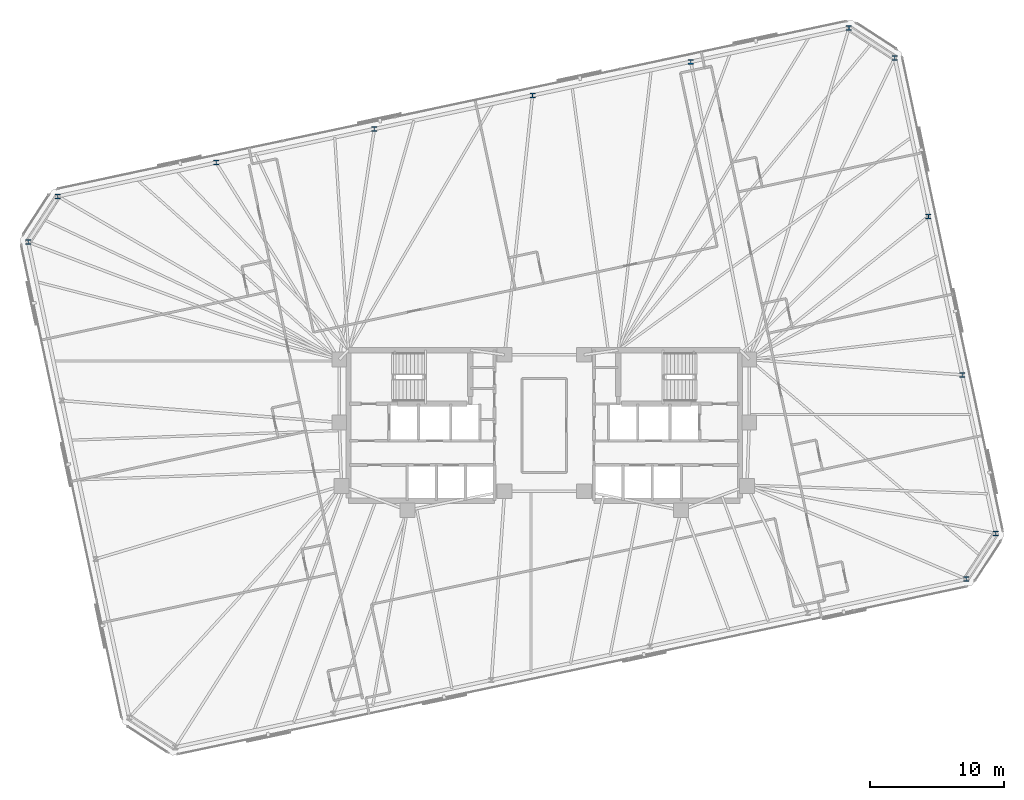
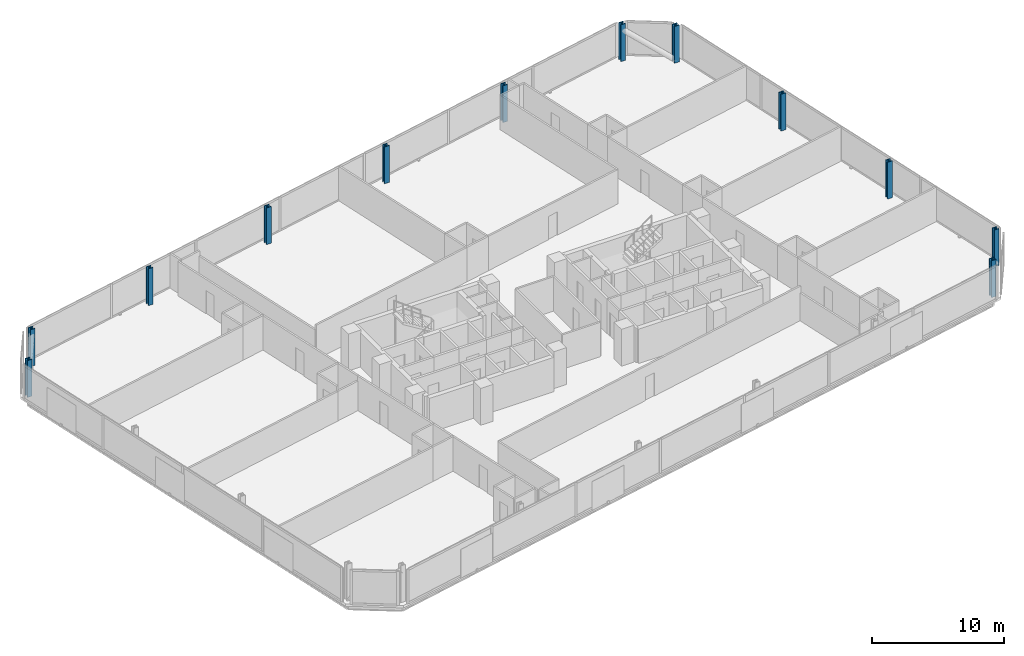
# One storey, part 5 of 19: 12 columns.
"""IFC4 building model written with IfcOpenShell, lengths in metres."""

from ifc_helpers import new_model, si_unit, direction, frame, origin, origin_2d, place, context, subcontext, project, spatial, i_section, extrude, material, material_profile, profile_set, type_object, element, save


model = new_model("IFC4")

# Units and contexts
model_context = context("Model", 3, precision=1e-05, world=origin(), true_north=direction((0.0, 1.0)))
body_context = subcontext(model_context, "Body", "Model", "MODEL_VIEW")
ifc_project = project(units=[si_unit("LENGTHUNIT", "METRE"), si_unit("AREAUNIT", "SQUARE_METRE"), si_unit("VOLUMEUNIT", "CUBIC_METRE"), si_unit("PLANEANGLEUNIT", "RADIAN"), si_unit("MASSUNIT", "GRAM", prefix="KILO")], contexts=[model_context])

# Site, building, storey
site_placement = place(None, origin())
site = spatial("IfcSite", under=ifc_project, at=site_placement, CompositionType="ELEMENT")
building_placement = place(site_placement, origin())
building = spatial("IfcBuilding", under=site, at=building_placement, Name="Menara Jurai Vektor", CompositionType="ELEMENT")
storey_placement = place(building_placement, frame((0.0, 0.0, 192.199951171875)))
storey = spatial("IfcBuildingStorey", under=building, at=storey_placement, Name="L50", CompositionType="ELEMENT", Elevation=192.199951171875)

# Columns
ifc_material = material(Name="Steel S460", Category="steel")
ifc_material_profile = material_profile(ifc_material, i_section(OverallWidth=0.408935546875, OverallDepth=0.3740234375, WebThickness=0.048095703125, FlangeThickness=0.076904296875, FilletRadius=0.014892578125, at=origin_2d()), Name="HD 400x634")
ifc_profile_set = profile_set([ifc_material_profile], Name="Steel S460")
column_type = type_object("IfcColumnType", Name="STR-EXO-BLK3", PredefinedType="COLUMN", material=ifc_profile_set)
for number, where, z_axis, x_axis, name in (
    (1, (31.376220703125, -11.438720703125, 0.0), (0.0, 0.0, 1.0), (1.0, 0.0, 0.0), "Exoskeleton Column BLK3-S6 L50"),
    (2, (33.588623046875, -8.031982421875, 0.0), (0.0, 0.0, 1.0), (1.0, 0.0, 0.0), "Exoskeleton Column BLK3-E1 L50"),
    (3, (31.082763671875, 3.75634765625, 0.0), (0.0, 0.0, 1.0), (1.0, 0.0, 0.0), "Exoskeleton Column BLK3-E2 L50"),
    (4, (28.5771484375, 15.544921875, 0.0), (0.0, 0.0, 1.0), (1.0, 0.0, 0.0), "Exoskeleton Column BLK3-E3 L50"),
    (5, (26.0712890625, 27.33349609375, 0.0), (0.0, 0.0, 1.0), (1.0, 0.0, 0.0), "Exoskeleton Column BLK3-E4 L50"),
    (6, (22.664794921875, 29.545654296875, 0.0), (0.0, 0.0, 1.0), (1.0, 0.0, 0.0), "Exoskeleton Column BLK3-N1 L50"),
    (7, (10.896484375, 27.044189453125, 0.0), (0.0, 0.0, 1.0), (1.0, 0.0, 0.0), "Exoskeleton Column BLK3-N2 L50"),
    (8, (-0.87158203125, 24.54296875, 0.0), (0.0, 0.0, 1.0), (1.0, 0.0, 0.0), "Exoskeleton Column BLK3-N3 L50"),
    (9, (-12.639892578125, 22.04150390625, 0.0), (0.0, 0.0, 1.0), (1.0, 0.0, 0.0), "Exoskeleton Column BLK3-N4 L50"),
    (10, (-24.407958984375, 19.5400390625, 0.0), (0.0, 0.0, 1.0), (1.0, 0.0, 0.0), "Exoskeleton Column BLK3-N5 L50"),
    (11, (-36.17626953125, 17.03857421875, 0.0), (0.0, 0.0, 1.0), (1.0, 0.0, 0.0), "Exoskeleton Column BLK3-N6 L50"),
    (12, (-38.388671875, 13.632080078125, 0.0), (0.0, 0.0, 1.0), (1.0, 0.0, 0.0), "Exoskeleton Column BLK3-W1 L50"),
):
    element("IfcColumn", number, at=place(storey_placement, frame(where, z_axis=z_axis, x_axis=x_axis)), inside=storey, type_object=column_type, Name=name, PredefinedType="COLUMN", context=body_context, shape_type="SweptSolid", body=[
        extrude(i_section(OverallWidth=0.408935546875, OverallDepth=0.3740234375, WebThickness=0.048095703125, FlangeThickness=0.076904296875, FilletRadius=0.014892578125, at=origin_2d()), origin(), (0.0, 0.0, 1.0), 3.400146484375),
    ])

save(model, "model.ifc")
